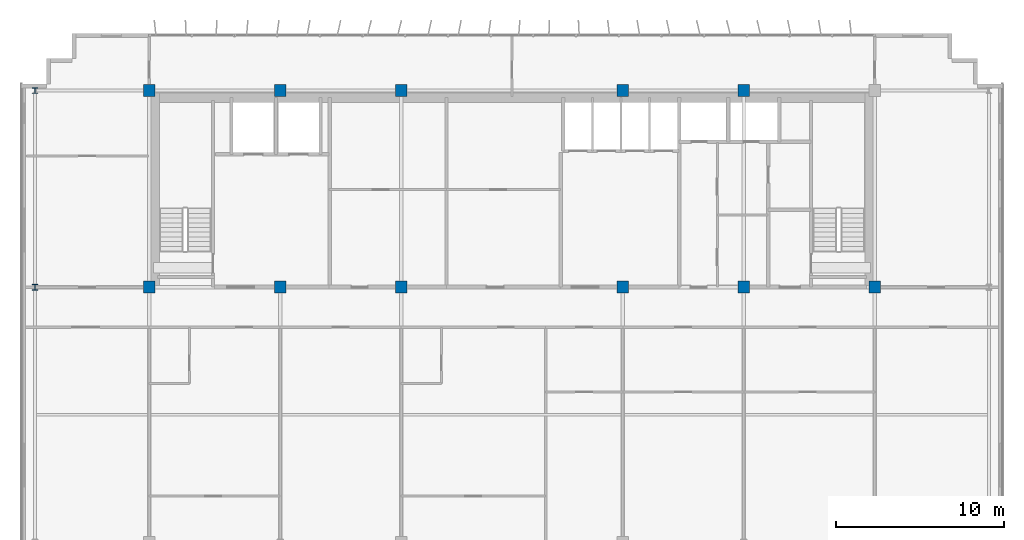
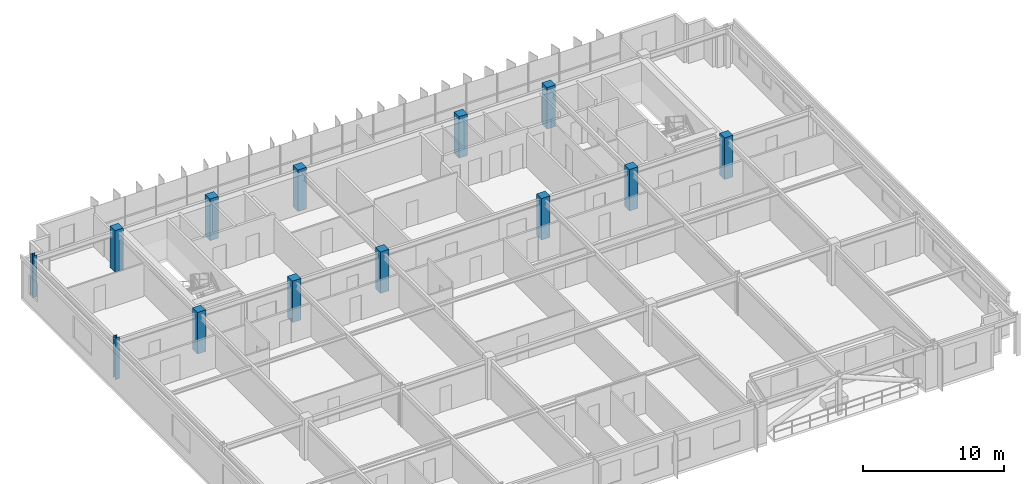
# One storey, part 3 of 23: 13 columns.
"""IFC4 building model written with IfcOpenShell, lengths in metres."""

from ifc_helpers import new_model, si_unit, direction, frame, origin, origin_2d, place, context, subcontext, project, spatial, rectangle, i_section, extrude, source, transform, mapped, material, material_profile, profile_set, type_object, element, save


model = new_model("IFC4")

# Units and contexts
model_context = context("Model", 3, precision=1e-05, world=origin(), true_north=direction((0.0, 1.0)))
body_context = subcontext(model_context, "Body", "Model", "MODEL_VIEW")
ifc_project = project(units=[si_unit("LENGTHUNIT", "METRE"), si_unit("AREAUNIT", "SQUARE_METRE"), si_unit("VOLUMEUNIT", "CUBIC_METRE"), si_unit("PLANEANGLEUNIT", "RADIAN"), si_unit("MASSUNIT", "GRAM", prefix="KILO")], contexts=[model_context])

# Site, building, storey
site_placement = place(None, origin())
site = spatial("IfcSite", under=ifc_project, at=site_placement, CompositionType="ELEMENT")
building_placement = place(site_placement, origin())
building = spatial("IfcBuilding", under=site, at=building_placement, Name="Trelvane Seafront Commons", CompositionType="ELEMENT")
storey_placement = place(building_placement, frame((0.0, 0.0, 230.10009765625)))
storey = spatial("IfcBuildingStorey", under=building, at=storey_placement, Name="L60", CompositionType="ELEMENT", Elevation=230.10009765625)

# Columns
ifc_material_1 = material(Name="Concrete C50/60", Category="concrete")
ifc_material_profile_1 = material_profile(ifc_material_1, rectangle(XDim=0.699951171875, YDim=0.699951171875, at=origin_2d()), Name="RC-700x700")
ifc_profile_set_1 = profile_set([ifc_material_profile_1], Name="Concrete C50/60")
column_type_1 = type_object("IfcColumnType", Name="STR-COL-RC700", PredefinedType="COLUMN", material=ifc_profile_set_1)
shared_shape_1 = source(origin(), body_context, "Body", "SweptSolid", [
    extrude(rectangle(XDim=0.699951171875, YDim=0.699951171875, at=origin_2d()), origin(), (0.0, 0.0, 1.0), 3.599853515625),
])
for number, where, z_axis, x_axis, name in (
    (1, (15.60009765625, 33.39990234375, 0.0), (0.0, 0.0, 1.0), (1.0, 0.0, 0.0), "L60 Column TC-CS15.6"),
    (2, (15.60009765625, 45.10009765625, 0.0), (0.0, 0.0, 1.0), (1.0, 0.0, 0.0), "L60 Column TC-CN15.6"),
    (3, (23.39990234375, 33.39990234375, 0.0), (0.0, 0.0, 1.0), (1.0, 0.0, 0.0), "L60 Column TC-CS23.4"),
    (4, (23.39990234375, 45.10009765625, 0.0), (0.0, 0.0, 1.0), (1.0, 0.0, 0.0), "L60 Column TC-CN23.4"),
    (5, (30.60009765625, 33.39990234375, 0.0), (0.0, 0.0, 1.0), (1.0, 0.0, 0.0), "L60 Column TC-CS30.6"),
    (6, (30.60009765625, 45.10009765625, 0.0), (0.0, 0.0, 1.0), (1.0, 0.0, 0.0), "L60 Column TC-CN30.6"),
    (7, (43.800048828125, 33.39990234375, 0.0), (0.0, 0.0, 1.0), (1.0, 0.0, 0.0), "L60 Column TC-CS43.8"),
    (8, (43.800048828125, 45.10009765625, 0.0), (0.0, 0.0, 1.0), (1.0, 0.0, 0.0), "L60 Column TC-CN43.8"),
    (9, (51.0, 33.39990234375, 0.0), (0.0, 0.0, 1.0), (1.0, 0.0, 0.0), "L60 Column TC-CS51.0"),
    (10, (51.0, 45.10009765625, 0.0), (0.0, 0.0, 1.0), (1.0, 0.0, 0.0), "L60 Column TC-CN51.0"),
    (11, (58.800048828125, 33.39990234375, 0.0), (0.0, 0.0, 1.0), (1.0, 0.0, 0.0), "L60 Column TC-CS58.8"),
):
    element("IfcColumn", number, at=place(storey_placement, frame(where, z_axis=z_axis, x_axis=x_axis)), inside=storey, type_object=column_type_1, Name=name, PredefinedType="COLUMN", context=body_context, shape_type="MappedRepresentation", body=[
        mapped(shared_shape_1, transform((0.0, 0.0, 0.0), x_axis=(1.0, 0.0, 0.0), y_axis=(0.0, 1.0, 0.0), z_axis=(0.0, 0.0, 1.0), scale=1.0)),
    ])
ifc_material_2 = material(Name="Steel SM355 (S355)", Category="steel")
ifc_material_profile_2 = material_profile(ifc_material_2, i_section(OverallWidth=0.35009765625, OverallDepth=0.35009765625, WebThickness=0.01806640625, FlangeThickness=0.028076171875, at=origin_2d()), Name="HD-350x350x18x28")
ifc_profile_set_2 = profile_set([ifc_material_profile_2], Name="Steel SM355 (S355)")
column_type_2 = type_object("IfcColumnType", Name="STR-COL-HD350", PredefinedType="COLUMN", material=ifc_profile_set_2)
shared_shape_2 = source(origin(), body_context, "Body", "SweptSolid", [
    extrude(i_section(OverallWidth=0.35009765625, OverallDepth=0.35009765625, WebThickness=0.01806640625, FlangeThickness=0.028076171875, at=origin_2d()), origin(), (0.0, 0.0, 1.0), 3.599853515625),
])
for number, where, z_axis, x_axis, name in (
    (12, (8.800048828125, 33.39990234375, 0.0), (0.0, 0.0, 1.0), (1.0, 0.0, 0.0), "L60 Column TC-CS8.8"),
    (13, (8.800048828125, 45.10009765625, 0.0), (0.0, 0.0, 1.0), (1.0, 0.0, 0.0), "L60 Column TC-CN8.8"),
):
    element("IfcColumn", number, at=place(storey_placement, frame(where, z_axis=z_axis, x_axis=x_axis)), inside=storey, type_object=column_type_2, Name=name, PredefinedType="COLUMN", context=body_context, shape_type="MappedRepresentation", body=[
        mapped(shared_shape_2, transform((0.0, 0.0, 0.0), x_axis=(1.0, 0.0, 0.0), y_axis=(0.0, 1.0, 0.0), z_axis=(0.0, 0.0, 1.0), scale=1.0)),
    ])

save(model, "model.ifc")
